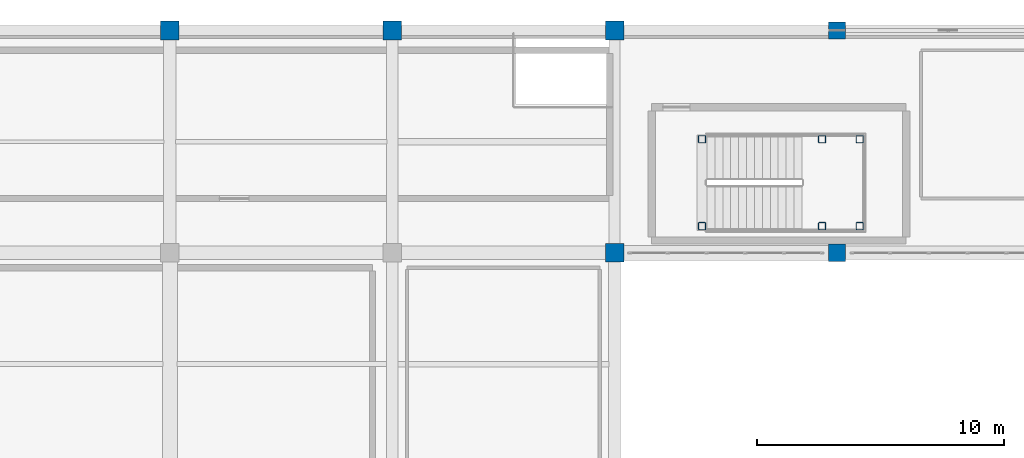
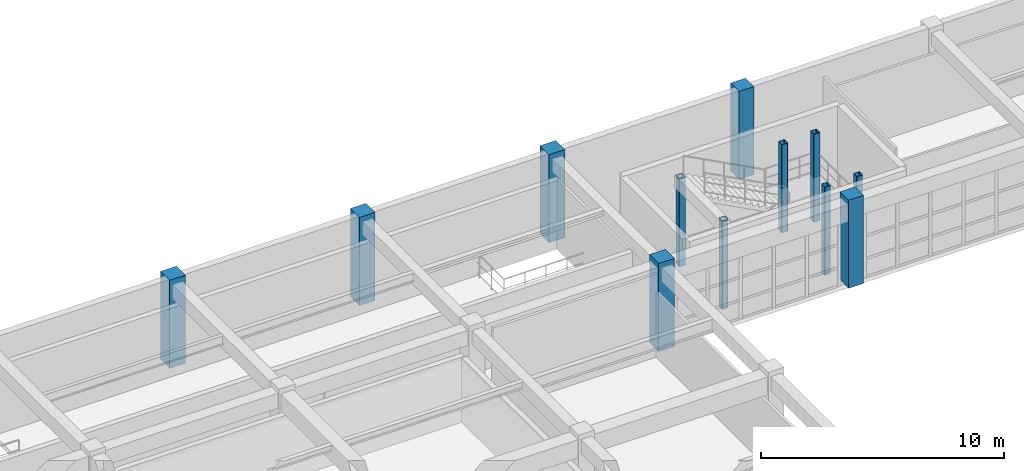
# One storey, part 13 of 133: 12 columns.
"""IFC4 building model written with IfcOpenShell, lengths in metres."""

from ifc_helpers import new_model, si_unit, direction, frame, origin, origin_2d, place, context, subcontext, project, spatial, rectangle, hollow_rectangle, extrude, material, material_profile, profile_set, type_object, element, save


model = new_model("IFC4")

# Units and contexts
model_context = context("Model", 3, precision=1e-05, world=origin(), true_north=direction((0.0, 1.0)))
body_context = subcontext(model_context, "Body", "Model", "MODEL_VIEW")
ifc_project = project(units=[si_unit("LENGTHUNIT", "METRE"), si_unit("AREAUNIT", "SQUARE_METRE"), si_unit("VOLUMEUNIT", "CUBIC_METRE"), si_unit("PLANEANGLEUNIT", "RADIAN"), si_unit("MASSUNIT", "GRAM", prefix="KILO")], contexts=[model_context])

# Site, building, storey
site_placement = place(None, origin())
site = spatial("IfcSite", under=ifc_project, at=site_placement, CompositionType="ELEMENT")
building_placement = place(site_placement, origin())
building = spatial("IfcBuilding", under=site, at=building_placement, Name="Miravela Opera House", CompositionType="ELEMENT")
storey_placement = place(building_placement, frame((0.0, 0.0, 5.10009765625)))
storey = spatial("IfcBuildingStorey", under=building, at=storey_placement, Name="L01", CompositionType="ELEMENT", Elevation=5.10009765625)

# Columns
ifc_material_1 = material(Name="Hollow structural steel ASTM A500 Gr. C", Category="steel")
ifc_material_profile_1 = material_profile(ifc_material_1, hollow_rectangle(XDim=0.300048828125, YDim=0.300048828125, WallThickness=0.01611328125, InnerFilletRadius=0.01611328125, OuterFilletRadius=0.031982421875, at=origin_2d()), Name="HSS300X300X16")
ifc_profile_set_1 = profile_set([ifc_material_profile_1])
column_type_1 = type_object("IfcColumnType", Name="STR-COL-HSS300", PredefinedType="COLUMN", material=ifc_profile_set_1)
for number, where, z_axis, x_axis, name in (
    (1, (120.5400390625, 104.080078125, 0.0), (0.0, 0.0, 1.0), (1.0, 0.0, 0.0), "Stair ST-09 Landing Support Column 1 (L01)"),
    (2, (120.5400390625, 107.60009765625, 0.0), (0.0, 0.0, 1.0), (1.0, 0.0, 0.0), "Stair ST-09 Landing Support Column 2 (L01)"),
    (3, (125.39990234375, 104.080078125, 0.0), (0.0, 0.0, 1.0), (1.0, 0.0, 0.0), "Stair ST-09 Landing Support Column 3 (L01)"),
    (4, (125.39990234375, 107.60009765625, 0.0), (0.0, 0.0, 1.0), (1.0, 0.0, 0.0), "Stair ST-09 Landing Support Column 4 (L01)"),
    (5, (126.919921875, 104.080078125, 0.0), (0.0, 0.0, 1.0), (1.0, 0.0, 0.0), "Stair ST-09 Landing Support Column 5 (L01)"),
    (6, (126.919921875, 107.60009765625, 0.0), (0.0, 0.0, 1.0), (1.0, 0.0, 0.0), "Stair ST-09 Landing Support Column 6 (L01)"),
):
    element("IfcColumn", number, at=place(storey_placement, frame(where, z_axis=z_axis, x_axis=x_axis)), inside=storey, type_object=column_type_1, Name=name, PredefinedType="COLUMN", context=body_context, shape_type="SweptSolid", body=[
        extrude(hollow_rectangle(XDim=0.300048828125, YDim=0.300048828125, WallThickness=0.01611328125, InnerFilletRadius=0.01611328125, OuterFilletRadius=0.031982421875, at=origin_2d()), origin(), (0.0, 0.0, 1.0), 4.419921875),
    ])
ifc_material_2 = material(Name="Concrete C35/45", Category="concrete")
ifc_material_profile_2 = material_profile(ifc_material_2, rectangle(XDim=0.699951171875, YDim=0.699951171875, at=origin_2d()), Name="RC-COL-700X700")
ifc_profile_set_2 = profile_set([ifc_material_profile_2])
column_type_2 = type_object("IfcColumnType", Name="STR-COL-RC700", PredefinedType="COLUMN", material=ifc_profile_set_2)
for number, where, z_axis, x_axis, name in (
    (7, (126.0, 103.0, 0.0), (0.0, 0.0, 1.0), (1.0, 0.0, 0.0), "Column C-15L (L01)"),
    (8, (126.0, 112.0, 0.0), (0.0, 0.0, 1.0), (1.0, 0.0, 0.0), "Column C-15M (L01)"),
):
    element("IfcColumn", number, at=place(storey_placement, frame(where, z_axis=z_axis, x_axis=x_axis)), inside=storey, type_object=column_type_2, Name=name, PredefinedType="COLUMN", context=body_context, shape_type="SweptSolid", body=[
        extrude(rectangle(XDim=0.699951171875, YDim=0.699951171875, at=origin_2d()), origin(), (0.0, 0.0, 1.0), 4.419921875),
    ])
ifc_material_profile_3 = material_profile(ifc_material_2, rectangle(XDim=0.75, YDim=0.75, at=origin_2d()), Name="RC-COL-750X750")
ifc_profile_set_3 = profile_set([ifc_material_profile_3])
column_type_3 = type_object("IfcColumnType", Name="STR-COL-RC750", PredefinedType="COLUMN", material=ifc_profile_set_3)
for number, where, z_axis, x_axis, name in (
    (9, (99.0, 112.0, 0.0), (0.0, 0.0, 1.0), (1.0, 0.0, 0.0), "Column C-12M (L01)"),
    (10, (108.0, 112.0, 0.0), (0.0, 0.0, 1.0), (1.0, 0.0, 0.0), "Column C-13M (L01)"),
    (11, (117.0, 103.0, 0.0), (0.0, 0.0, 1.0), (1.0, 0.0, 0.0), "Column C-14L (L01)"),
    (12, (117.0, 112.0, 0.0), (0.0, 0.0, 1.0), (1.0, 0.0, 0.0), "Column C-14M (L01)"),
):
    element("IfcColumn", number, at=place(storey_placement, frame(where, z_axis=z_axis, x_axis=x_axis)), inside=storey, type_object=column_type_3, Name=name, PredefinedType="COLUMN", context=body_context, shape_type="SweptSolid", body=[
        extrude(rectangle(XDim=0.75, YDim=0.75, at=origin_2d()), origin(), (0.0, 0.0, 1.0), 4.419921875),
    ])

save(model, "model.ifc")
